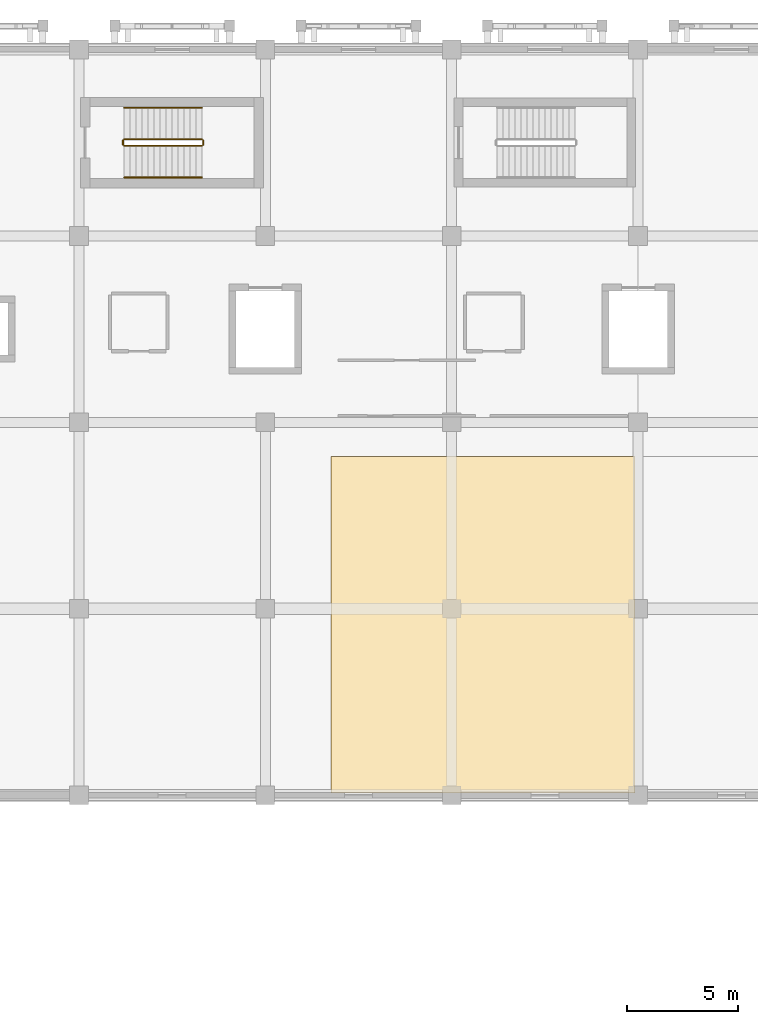
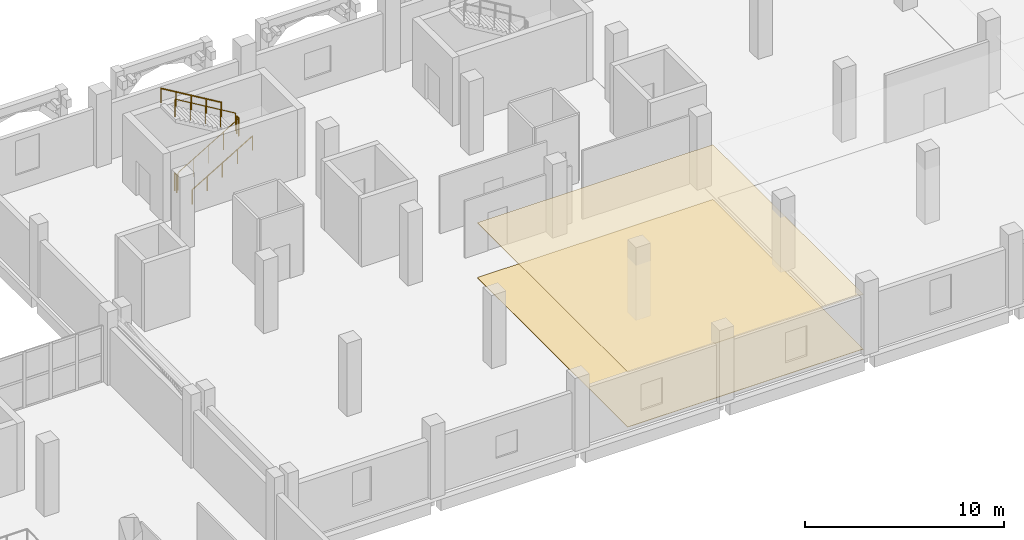
# One storey, part 133 of 137: 6 railings, 2 coverings.
"""IFC4 building model written with IfcOpenShell, lengths in metres."""

import ifcopenshell
import ifcopenshell.guid

model = None  # the IFC model being written
_history = None  # IfcOwnerHistory: only IFC2X3 demands one
_inside = {}  # id of a spatial element -> (the spatial element, [elements in it])
_under = {}  # id of a project, library or spatial element -> (it, [spatial elements below it])
_declared = {}  # id of a project -> (the project, [libraries it declares])
_typed = {}  # id of a type object -> (the type object, [elements of that type])
_made_of = {}  # id of a material, layer set ... -> (it, [elements and type objects made of it])


def new_model(schema):
    """Start an empty IFC model of exactly this schema.

    Asked for "IFC4X3", IfcOpenShell would pick the latest addendum, in which some entities
    have other attributes; the version numbers below select the first issue.
    IFC2X3 requires an IfcOwnerHistory on every rooted entity: one is made here for all.
    """
    global model, _history
    if schema == "IFC4X3":
        model = ifcopenshell.file(schema_version=(4, 3, 0, 0))
    else:
        model = ifcopenshell.file(schema=schema)
    _inside.clear()
    _under.clear()
    _declared.clear()
    _typed.clear()
    _made_of.clear()
    _history = None
    if model.schema == "IFC2X3":
        org = make("IfcOrganization", Name="unknown")
        user = make(
            "IfcPersonAndOrganization",
            ThePerson=make("IfcPerson", FamilyName="unknown"),
            TheOrganization=org,
        )
        app = make(
            "IfcApplication",
            ApplicationDeveloper=org,
            Version="unknown",
            ApplicationFullName="unknown",
            ApplicationIdentifier="unknown",
        )
        _history = make(
            "IfcOwnerHistory",
            OwningUser=user,
            OwningApplication=app,
            ChangeAction="ADDED",
            CreationDate=0,
        )
    return model


def make(cls, **values):
    """One entity of the class cls with the attributes given. An attribute that is None is left unset."""
    return model.create_entity(
        cls, **{name: value for name, value in values.items() if value is not None}
    )


def rooted(cls, **values):
    """An entity with a GlobalId (a new one), such as an element, a storey or a relation."""
    return make(cls, GlobalId=ifcopenshell.guid.new(), OwnerHistory=_history, **values)


def si_unit(unit_type, name, prefix=None):
    """IfcSIUnit, for example si_unit("LENGTHUNIT", "METRE", prefix="MILLI")."""
    return make("IfcSIUnit", UnitType=unit_type, Prefix=prefix, Name=name)


def assignment(units):
    """IfcUnitAssignment: the units of a project."""
    return None if units is None else make("IfcUnitAssignment", Units=units)


def point(xyz):
    """IfcCartesianPoint."""
    return None if xyz is None else make("IfcCartesianPoint", Coordinates=xyz)


def direction(xyz):
    """IfcDirection."""
    return None if xyz is None else make("IfcDirection", DirectionRatios=xyz)


def frame(location, z_axis=None, x_axis=None):
    """IfcAxis2Placement3D, a coordinate frame: its origin and axes. An axis left out is left unset."""
    return make(
        "IfcAxis2Placement3D",
        Location=point(location),
        Axis=direction(z_axis),
        RefDirection=direction(x_axis),
    )


def frame_2d(location, x_axis=None):
    """IfcAxis2Placement2D, a coordinate frame in the plane: its origin and x axis."""
    return make(
        "IfcAxis2Placement2D", Location=point(location), RefDirection=direction(x_axis)
    )


def origin():
    """The frame at (0, 0, 0) with its axes left unset."""
    return frame((0.0, 0.0, 0.0))


def origin_2d():
    """The frame at (0, 0) in the plane with its x axis left unset."""
    return frame_2d((0.0, 0.0))


def place(relative_to, where):
    """IfcLocalPlacement: puts the frame where relative to a parent placement (None: the world)."""
    return make(
        "IfcLocalPlacement", PlacementRelTo=relative_to, RelativePlacement=where
    )


def context(
    kind, dimensions, precision=None, world=None, true_north=None, identifier=None
):
    """IfcGeometricRepresentationContext, for example the 3D "Model" context."""
    return make(
        "IfcGeometricRepresentationContext",
        ContextIdentifier=identifier,
        ContextType=kind,
        CoordinateSpaceDimension=dimensions,
        Precision=precision,
        WorldCoordinateSystem=world,
        TrueNorth=true_north,
    )


def subcontext(parent, identifier, kind, view, scale=None):
    """IfcGeometricRepresentationSubContext, for example "Body" below "Model"."""
    return make(
        "IfcGeometricRepresentationSubContext",
        ContextIdentifier=identifier,
        ContextType=kind,
        ParentContext=parent,
        TargetScale=scale,
        TargetView=view,
    )


def project(units=None, contexts=None):
    """IfcProject with its units and contexts."""
    return rooted(
        "IfcProject",
        Name="project",
        RepresentationContexts=contexts,
        UnitsInContext=assignment(units),
    )


def spatial(cls, under=None, at=None, **own):
    """A site, building, storey or space (cls), placed at a placement, below another one or the project."""
    s = rooted(cls, ObjectPlacement=at, **own)
    if under is not None:
        _under.setdefault(under.id(), (under, []))[1].append(s)
    return s


def polyline(points):
    """IfcPolyline through the points."""
    return make("IfcPolyline", Points=[point(p) for p in points])


def profile(cls, at=None, kind="AREA", **sizes):
    """A parametric profile (cls). Its sizes go by their IFC names, for example OverallWidth=200.0."""
    return make(cls, ProfileType=kind, Position=at, **sizes)


def circle(**sizes):
    """IfcCircleProfileDef."""
    return profile("IfcCircleProfileDef", **sizes)


def outline(outer, holes=None, kind="AREA"):
    """IfcArbitraryClosedProfileDef: a profile drawn as a closed curve; with holes, ...WithVoids."""
    if holes is None:
        return make("IfcArbitraryClosedProfileDef", ProfileType=kind, OuterCurve=outer)
    return make(
        "IfcArbitraryProfileDefWithVoids",
        ProfileType=kind,
        OuterCurve=outer,
        InnerCurves=holes,
    )


def extrude(swept, where, along, depth):
    """IfcExtrudedAreaSolid: the profile swept, set in the frame where, extruded along a direction by depth."""
    return make(
        "IfcExtrudedAreaSolid",
        SweptArea=swept,
        Position=where,
        ExtrudedDirection=direction(along),
        Depth=depth,
    )


def shape(context_of_items, identifier, shape_type, items):
    """IfcShapeRepresentation: the items that make up one representation, for example the "Body"."""
    return make(
        "IfcShapeRepresentation",
        ContextOfItems=context_of_items,
        RepresentationIdentifier=identifier,
        RepresentationType=shape_type,
        Items=items,
    )


def material(Name=None, Category=None):
    """IfcMaterial."""
    return make("IfcMaterial", Name=Name, Category=Category)


def layer(
    of_material, thickness, ventilated=None, Name=None, Category=None, Priority=None
):
    """IfcMaterialLayer: one layer of a wall or slab, of a material (None: an air gap)."""
    return make(
        "IfcMaterialLayer",
        Material=of_material,
        LayerThickness=thickness,
        IsVentilated=ventilated,
        Name=Name,
        Category=Category,
        Priority=Priority,
    )


def layer_set(layers, Name=None):
    """IfcMaterialLayerSet."""
    return make("IfcMaterialLayerSet", MaterialLayers=layers, LayerSetName=Name)


def made_of(thing, what):
    """Note that an element or type object is made of a material, layer set ...; save() writes the relation."""
    if what is not None:
        _made_of.setdefault(what.id(), (what, []))[1].append(thing)
    return thing


def type_object(cls, material=None, **own):
    """A type object (cls), such as IfcWallType, which elements share."""
    return made_of(rooted(cls, **own), material)


def element(
    cls,
    number,
    at=None,
    inside=None,
    cuts=None,
    type_object=None,
    material=None,
    context=None,
    identifier="Body",
    shape_type=None,
    held_by="IfcProductDefinitionShape",
    body=None,
    shapes=None,
    **own,
):
    """One element of the class cls, such as IfcWall. Its Tag is "e" and its number.

    at: its placement. inside: the storey or other place that contains it. cuts: it is an
    opening in that element (IfcRelVoidsElement). A single representation is given by context,
    identifier, shape_type and body (its items); several are given by shapes. held_by: the class
    of the entity that holds the representations. save() writes the other relations.
    """
    e = rooted(cls, Tag="e%d" % number, ObjectPlacement=at, **own)
    if body is not None:
        shapes = [shape(context, identifier, shape_type, body)]
    if shapes is not None:
        e.Representation = make(held_by, Representations=shapes)
    if inside is not None:
        _inside.setdefault(inside.id(), (inside, []))[1].append(e)
    if cuts is not None:
        rooted(
            "IfcRelVoidsElement", RelatingBuildingElement=cuts, RelatedOpeningElement=e
        )
    if type_object is not None:
        _typed.setdefault(type_object.id(), (type_object, []))[1].append(e)
    return made_of(e, material)


def aggregate(whole, parts):
    """IfcRelAggregates: a whole, such as a stair, and the parts it consists of."""
    return rooted("IfcRelAggregates", RelatingObject=whole, RelatedObjects=parts)


def save(model, path):
    """Write the relations noted so far, then the file.

    IfcRelAggregates (storeys below a building ...), IfcRelContainedInSpatialStructure (elements
    in a storey), IfcRelDefinesByType, IfcRelAssociatesMaterial and IfcRelDeclares: one each for
    every whole, place, type object, material and project.
    """
    for whole, parts in _under.values():
        aggregate(whole, parts)
    for where, things in _inside.values():
        rooted(
            "IfcRelContainedInSpatialStructure",
            RelatedElements=things,
            RelatingStructure=where,
        )
    for kind, things in _typed.values():
        rooted("IfcRelDefinesByType", RelatedObjects=things, RelatingType=kind)
    for what, things in _made_of.values():
        rooted("IfcRelAssociatesMaterial", RelatedObjects=things, RelatingMaterial=what)
    for by, libraries in _declared.values():
        rooted("IfcRelDeclares", RelatingContext=by, RelatedDefinitions=libraries)
    model.write(path)


model = new_model("IFC4")

# Units and contexts
model_context = context("Model", 3, precision=1e-05, world=origin(), true_north=direction((0.0, 1.0)))
body_context = subcontext(model_context, "Body", "Model", "MODEL_VIEW")
ifc_project = project(units=[si_unit("LENGTHUNIT", "METRE"), si_unit("AREAUNIT", "SQUARE_METRE"), si_unit("VOLUMEUNIT", "CUBIC_METRE"), si_unit("PLANEANGLEUNIT", "RADIAN"), si_unit("MASSUNIT", "GRAM", prefix="KILO")], contexts=[model_context])

# Site, building, storey
site_placement = place(None, origin())
site = spatial("IfcSite", under=ifc_project, at=site_placement, CompositionType="ELEMENT")
building_placement = place(site_placement, origin())
building = spatial("IfcBuilding", under=site, at=building_placement, Name="Xazarin Passage Department Store", CompositionType="ELEMENT")
storey_placement = place(building_placement, frame((0.0, 0.0, 5.39990234375)))
storey = spatial("IfcBuildingStorey", under=building, at=storey_placement, Name="L01", CompositionType="ELEMENT", Elevation=5.39990234375)

# Coverings
ifc_material_1 = material(Name="Acoustic mineral ceiling")
ifc_layer_1 = layer(ifc_material_1, 0.030029296875)
ifc_layer_set_1 = layer_set([ifc_layer_1], Name="Acoustic mineral ceiling")
covering_type_1 = type_object("IfcCoveringType", Name="ARC-COV-CLG030", PredefinedType="CEILING", material=ifc_layer_set_1)
covering_1_placement = place(storey_placement, frame((0.0, 0.0, 3.3701171875)))
element("IfcCovering", 1, at=covering_1_placement, inside=storey, type_object=covering_type_1, Name="L01 Garment Hanging Stockroom Acoustic Ceiling", PredefinedType="CEILING", context=body_context, shape_type="SweptSolid", body=[
    extrude(outline(polyline([(122.14990234375, 76.5), (135.85009765625, 76.5), (135.85009765625, 91.64990234375), (122.14990234375, 91.64990234375), (122.14990234375, 76.5)])), origin(), (0.0, 0.0, 1.0), 0.030029296875),
])
ifc_material_2 = material(Name="Terrazzo stone flooring", Category="masonry")
ifc_layer_2 = layer(ifc_material_2, 0.02490234375)
ifc_layer_set_2 = layer_set([ifc_layer_2], Name="Terrazzo stone flooring")
covering_type_2 = type_object("IfcCoveringType", Name="ARC-COV-FLR025", PredefinedType="FLOORING", material=ifc_layer_set_2)
covering_2_placement = place(storey_placement, origin())
element("IfcCovering", 2, at=covering_2_placement, inside=storey, type_object=covering_type_2, Name="L01 Garment Hanging Stockroom Terrazzo Flooring", PredefinedType="FLOORING", context=body_context, shape_type="SweptSolid", body=[
    extrude(outline(polyline([(122.14990234375, 76.5), (135.85009765625, 76.5), (135.85009765625, 91.64990234375), (122.14990234375, 91.64990234375), (122.14990234375, 76.5)])), origin(), (0.0, 0.0, 1.0), 0.025146484375),
])

# Railings
ifc_material_3 = material(Name="Steel S355", Category="steel")
railing_type_1 = type_object("IfcRailingType", Name="ARC-RL-GRD112", PredefinedType="GUARDRAIL", material=ifc_material_3)
railing_1_placement = place(storey_placement, frame((112.840087890625, 105.64990234375, 0.160888671875)))
element("IfcRailing", 3, at=railing_1_placement, inside=storey, type_object=railing_type_1, Name="L01 ST10 stair guard 1", PredefinedType="GUARDRAIL", context=body_context, shape_type="SweptSolid", body=[
    extrude(circle(Radius=0.02392578125, at=origin_2d()), frame((0.0, 0.0, 1.076171875), z_axis=(0.859312273368, 0.0, 0.511451284914), x_axis=(0.0, 1.0, 0.0)), (0.0, 0.0, 1.0), 4.084716796875),
    extrude(circle(Radius=0.02099609375, at=origin_2d()), origin(), (0.0, 0.0, 1.0), 1.0517578125),
    extrude(circle(Radius=0.02099609375, at=origin_2d()), frame((0.87744140625, 0.0, 0.522216796875)), (0.0, 0.0, 1.0), 1.0517578125),
    extrude(circle(Radius=0.02099609375, at=origin_2d()), frame((1.7548828125, 0.0, 1.04443359375)), (0.0, 0.0, 1.0), 1.0517578125),
    extrude(circle(Radius=0.02099609375, at=origin_2d()), frame((2.632568359375, 0.0, 1.56689453125)), (0.0, 0.0, 1.0), 1.0517578125),
    extrude(circle(Radius=0.02099609375, at=origin_2d()), frame((3.510009765625, 0.0, 2.089111328125)), (0.0, 0.0, 1.0), 1.0517578125),
])
railing_2_placement = place(storey_placement, frame((116.39990234375, 105.699951171875, 2.25)))
element("IfcRailing", 4, at=railing_2_placement, inside=storey, type_object=railing_type_1, Name="L01 ST10 stair guard 2", PredefinedType="GUARDRAIL", context=body_context, shape_type="SweptSolid", body=[
    extrude(circle(Radius=0.02392578125, at=origin_2d()), frame((0.0, 0.0, 1.076171875), z_axis=(0.0, 1.0, 0.0), x_axis=(-1.0, 0.0, 0.0)), (0.0, 0.0, 1.0), 0.199951171875),
    extrude(circle(Radius=0.02099609375, at=origin_2d()), origin(), (0.0, 0.0, 1.0), 1.0517578125),
    extrude(circle(Radius=0.02099609375, at=origin_2d()), frame((0.0, 0.199951171875, 0.0)), (0.0, 0.0, 1.0), 1.0517578125),
])
railing_3_placement = place(storey_placement, frame((116.35009765625, 105.949951171875, 2.410888671875)))
element("IfcRailing", 5, at=railing_3_placement, inside=storey, type_object=railing_type_1, Name="L01 ST10 stair guard 3", PredefinedType="GUARDRAIL", context=body_context, shape_type="SweptSolid", body=[
    extrude(circle(Radius=0.02392578125, at=origin_2d()), frame((0.0, 0.0, 1.076171875), z_axis=(-0.859312273368, 0.0, 0.511451284914), x_axis=(0.0, -1.0, 0.0)), (0.0, 0.0, 1.0), 4.084716796875),
    extrude(circle(Radius=0.02099609375, at=origin_2d()), origin(), (0.0, 0.0, 1.0), 1.0517578125),
    extrude(circle(Radius=0.02099609375, at=origin_2d()), frame((-0.87744140625, 0.0, 0.522216796875)), (0.0, 0.0, 1.0), 1.0517578125),
    extrude(circle(Radius=0.02099609375, at=origin_2d()), frame((-1.7548828125, 0.0, 1.04443359375)), (0.0, 0.0, 1.0), 1.0517578125),
    extrude(circle(Radius=0.02099609375, at=origin_2d()), frame((-2.632568359375, 0.0, 1.56689453125)), (0.0, 0.0, 1.0), 1.0517578125),
    extrude(circle(Radius=0.02099609375, at=origin_2d()), frame((-3.510009765625, 0.0, 2.089111328125)), (0.0, 0.0, 1.0), 1.0517578125),
])
railing_4_placement = place(storey_placement, frame((112.7900390625, 105.699951171875, 0.0)))
element("IfcRailing", 6, at=railing_4_placement, inside=storey, type_object=railing_type_1, Name="L01 ST10 stair guard 4", PredefinedType="GUARDRAIL", context=body_context, shape_type="SweptSolid", body=[
    extrude(circle(Radius=0.02392578125, at=origin_2d()), frame((0.0, 0.0, 1.076171875), z_axis=(0.0, 1.0, 0.0), x_axis=(-1.0, 0.0, 0.0)), (0.0, 0.0, 1.0), 0.199951171875),
    extrude(circle(Radius=0.02099609375, at=origin_2d()), origin(), (0.0, 0.0, 1.0), 1.0517578125),
    extrude(circle(Radius=0.02099609375, at=origin_2d()), frame((0.0, 0.199951171875, 0.0)), (0.0, 0.0, 1.0), 1.0517578125),
])
railing_type_2 = type_object("IfcRailingType", Name="ARC-RL-HND090", PredefinedType="HANDRAIL", material=ifc_material_3)
railing_5_placement = place(storey_placement, frame((112.840087890625, 104.22998046875, 0.160888671875)))
element("IfcRailing", 7, at=railing_5_placement, inside=storey, type_object=railing_type_2, Name="L01 ST10 stair handrail 1", PredefinedType="HANDRAIL", context=body_context, shape_type="SweptSolid", body=[
    extrude(circle(Radius=0.02392578125, at=origin_2d()), frame((0.0, 0.0, 0.8759765625), z_axis=(0.859312273368, 0.0, 0.511451284914), x_axis=(0.0, 1.0, 0.0)), (0.0, 0.0, 1.0), 4.084716796875),
    extrude(circle(Radius=0.02099609375, at=origin_2d()), origin(), (0.0, 0.0, 1.0), 0.8515625),
    extrude(circle(Radius=0.02099609375, at=origin_2d()), frame((0.87744140625, 0.0, 0.522216796875)), (0.0, 0.0, 1.0), 0.8515625),
    extrude(circle(Radius=0.02099609375, at=origin_2d()), frame((1.7548828125, 0.0, 1.04443359375)), (0.0, 0.0, 1.0), 0.8515625),
    extrude(circle(Radius=0.02099609375, at=origin_2d()), frame((2.632568359375, 0.0, 1.56689453125)), (0.0, 0.0, 1.0), 0.8515625),
    extrude(circle(Radius=0.02099609375, at=origin_2d()), frame((3.510009765625, 0.0, 2.089111328125)), (0.0, 0.0, 1.0), 0.8515625),
])
railing_6_placement = place(storey_placement, frame((116.35009765625, 107.3701171875, 2.410888671875)))
element("IfcRailing", 8, at=railing_6_placement, inside=storey, type_object=railing_type_2, Name="L01 ST10 stair handrail 2", PredefinedType="HANDRAIL", context=body_context, shape_type="SweptSolid", body=[
    extrude(circle(Radius=0.02392578125, at=origin_2d()), frame((0.0, 0.0, 0.8759765625), z_axis=(-0.859312273368, 0.0, 0.511451284914), x_axis=(0.0, -1.0, 0.0)), (0.0, 0.0, 1.0), 4.084716796875),
    extrude(circle(Radius=0.02099609375, at=origin_2d()), origin(), (0.0, 0.0, 1.0), 0.8515625),
    extrude(circle(Radius=0.02099609375, at=origin_2d()), frame((-0.87744140625, 0.0, 0.522216796875)), (0.0, 0.0, 1.0), 0.8515625),
    extrude(circle(Radius=0.02099609375, at=origin_2d()), frame((-1.7548828125, 0.0, 1.04443359375)), (0.0, 0.0, 1.0), 0.8515625),
    extrude(circle(Radius=0.02099609375, at=origin_2d()), frame((-2.632568359375, 0.0, 1.56689453125)), (0.0, 0.0, 1.0), 0.8515625),
    extrude(circle(Radius=0.02099609375, at=origin_2d()), frame((-3.510009765625, 0.0, 2.089111328125)), (0.0, 0.0, 1.0), 0.8515625),
])

save(model, "model.ifc")
